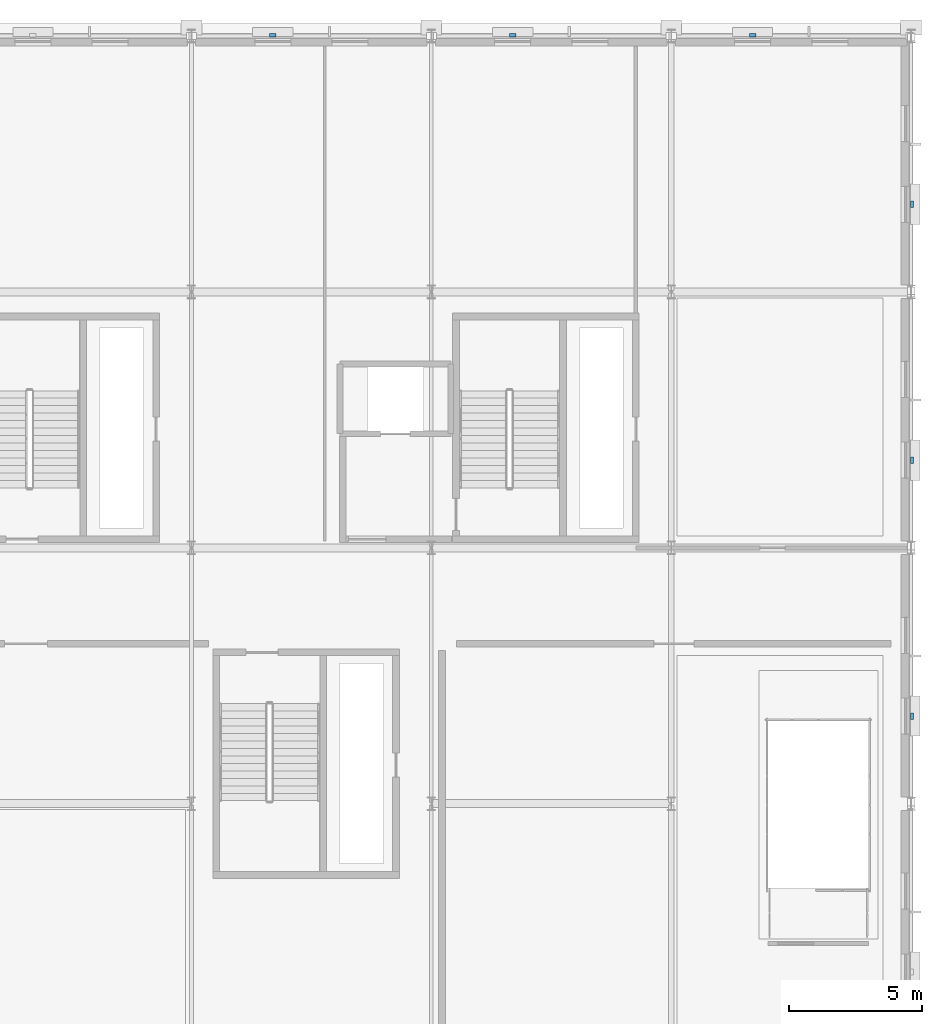
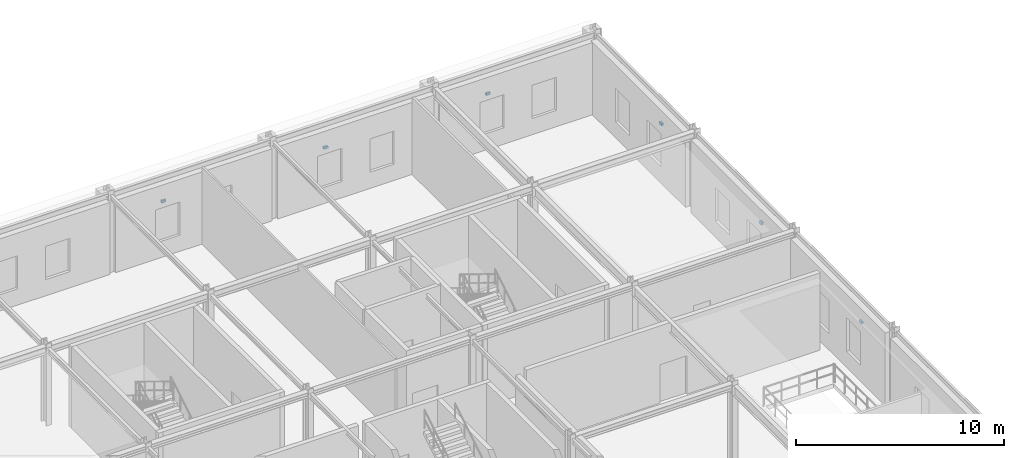
# One storey, part 92 of 125: 6 discrete accessories.
"""IFC4 building model written with IfcOpenShell, lengths in metres."""

from ifc_helpers import new_model, si_unit, direction, frame, origin, origin_2d, place, context, subcontext, project, spatial, rectangle, extrude, material, type_object, element, save


model = new_model("IFC4")

# Units and contexts
model_context = context("Model", 3, precision=1e-05, world=origin(), true_north=direction((0.0, 1.0)))
body_context = subcontext(model_context, "Body", "Model", "MODEL_VIEW")
ifc_project = project(units=[si_unit("LENGTHUNIT", "METRE"), si_unit("AREAUNIT", "SQUARE_METRE"), si_unit("VOLUMEUNIT", "CUBIC_METRE"), si_unit("PLANEANGLEUNIT", "RADIAN"), si_unit("MASSUNIT", "GRAM", prefix="KILO")], contexts=[model_context])

# Site, building, storey
site_placement = place(None, origin())
site = spatial("IfcSite", under=ifc_project, at=site_placement, CompositionType="ELEMENT")
building_placement = place(site_placement, origin())
building = spatial("IfcBuilding", under=site, at=building_placement, Name="Myrtia Square Station", CompositionType="ELEMENT")
storey_placement = place(building_placement, frame((0.0, 0.0, 6.0)))
storey = spatial("IfcBuildingStorey", under=building, at=storey_placement, Name="L01", CompositionType="ELEMENT", Elevation=6.0)

# Discrete accessories
ifc_material = material(Name="Steel S355", Category="steel")
discrete_accessory_type = type_object("IfcDiscreteAccessoryType", Name="ACC-BRACKET-BRONZE", PredefinedType="BRACKET", material=ifc_material)
for number, where, z_axis, x_axis, name in (
    (1, (165.052001953125, 124.830078125, 2.8798828125), (0.0, 0.0, 1.0), (1.0, 0.0, 0.0), "Solar shading fixing bracket 048"),
    (2, (174.052001953125, 124.830078125, 2.8798828125), (0.0, 0.0, 1.0), (1.0, 0.0, 0.0), "Solar shading fixing bracket 049"),
    (3, (183.052001953125, 124.830078125, 2.8798828125), (0.0, 0.0, 1.0), (1.0, 0.0, 0.0), "Solar shading fixing bracket 050"),
    (4, (189.030029296875, 99.284912109375, 2.8798828125), (0.0, 0.0, 1.0), (0.0, 1.0, 0.0), "Solar shading fixing bracket 052"),
    (5, (189.030029296875, 108.885009765625, 2.8798828125), (0.0, 0.0, 1.0), (0.0, 1.0, 0.0), "Solar shading fixing bracket 053"),
    (6, (189.030029296875, 118.485107421875, 2.8798828125), (0.0, 0.0, 1.0), (0.0, 1.0, 0.0), "Solar shading fixing bracket 054"),
):
    element("IfcDiscreteAccessory", number, at=place(storey_placement, frame(where, z_axis=z_axis, x_axis=x_axis)), inside=storey, type_object=discrete_accessory_type, Name=name, PredefinedType="BRACKET", context=body_context, shape_type="SweptSolid", body=[
        extrude(rectangle(XDim=0.239990234375, YDim=0.1201171875, at=origin_2d()), origin(), (0.0, 0.0, 1.0), 0.139892578125),
    ])

save(model, "model.ifc")
